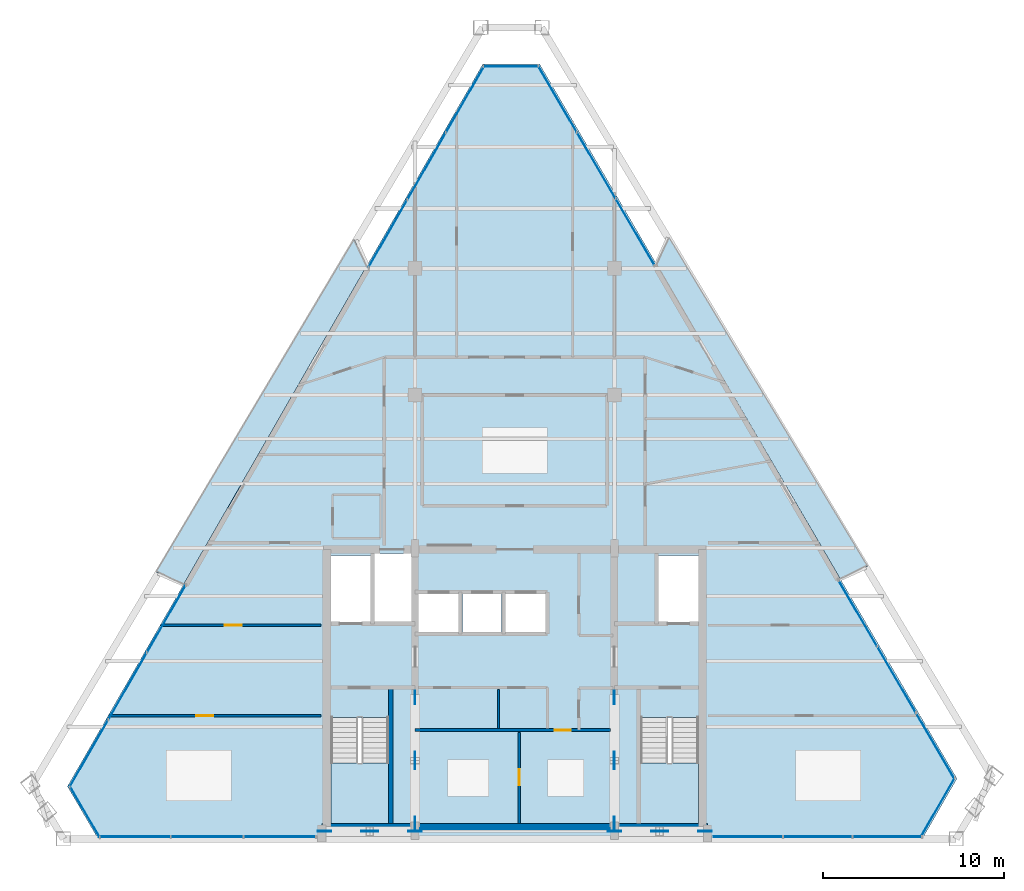
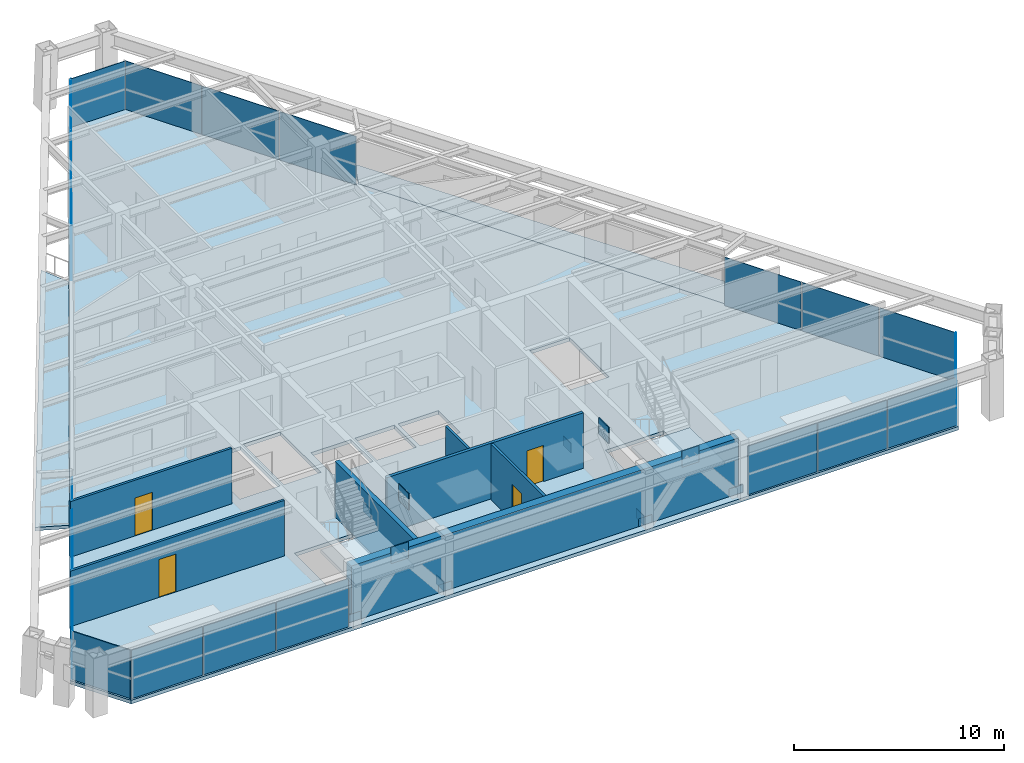
# One storey, part 8 of 13: 33 plates, 7 walls, 5 slabs, 4 doors, 4 openings, 11 elements without a shape of their own.
"""IFC4 building model written with IfcOpenShell, lengths in metres."""

from ifc_helpers import new_model, si_unit, direction, frame, frame_2d, origin, origin_2d, place, context, subcontext, project, spatial, polyline, rectangle, outline, extrude, source, transform, mapped, material, layer, layer_set, type_object, type_shapes, element, fill, aggregate, save


model = new_model("IFC4")

# Units and contexts
model_context = context("Model", 3, precision=1e-05, world=origin(), true_north=direction((0.0, 1.0)))
body_context = subcontext(model_context, "Body", "Model", "MODEL_VIEW")
ifc_project = project(units=[si_unit("LENGTHUNIT", "METRE"), si_unit("AREAUNIT", "SQUARE_METRE"), si_unit("VOLUMEUNIT", "CUBIC_METRE"), si_unit("PLANEANGLEUNIT", "RADIAN"), si_unit("MASSUNIT", "GRAM", prefix="KILO")], contexts=[model_context])

# Site, building, storey
site_placement = place(None, origin())
site = spatial("IfcSite", under=ifc_project, at=site_placement, CompositionType="ELEMENT")
building_placement = place(site_placement, origin())
building = spatial("IfcBuilding", under=site, at=building_placement, Name="Varnakhor Terracotta Tower", CompositionType="ELEMENT")
storey_placement = place(building_placement, frame((0.0, 0.0, 286.800048828125)))
storey = spatial("IfcBuildingStorey", under=building, at=storey_placement, Name="L75", CompositionType="ELEMENT", Elevation=286.800048828125)

# Slab
ifc_material_1 = material(Name="Concrete C40/50", Category="concrete")
ifc_layer_1 = layer(ifc_material_1, 0.2099609375, Name="Concrete C40/50")
ifc_layer_set_1 = layer_set([ifc_layer_1], Name="Concrete C40/50")
slab_type_1 = type_object("IfcSlabType", Name="SLB-HTL-210", PredefinedType="FLOOR", material=ifc_layer_set_1)
slab_1_placement = place(storey_placement, frame((0.0, 0.0, -0.2099609375)))
element("IfcSlab", 1, at=slab_1_placement, inside=storey, type_object=slab_type_1, Name="L75 Structural Floor Slab", PredefinedType="FLOOR", context=body_context, shape_type="SweptSolid", body=[
    extrude(outline(polyline([(-24.689697265625, 2.8994140625), (-1.76171875, 42.769287109375), (1.380126953125, 42.769287109375), (24.4130859375, 3.32861328125), (22.4990234375, 0.0), (-22.996337890625, 0.0), (-24.689697265625, 2.8994140625)]), holes=[polyline([(-6.949951171875, 0.85009765625), (-6.949951171875, 6.695068359375), (-10.14990234375, 6.695068359375), (-10.14990234375, 0.85009765625), (-6.949951171875, 0.85009765625)]), polyline([(10.14990234375, 0.85009765625), (10.14990234375, 6.695068359375), (6.949951171875, 6.695068359375), (6.949951171875, 0.85009765625), (10.14990234375, 0.85009765625)]), polyline([(-3.10009765625, 11.419921875), (-3.10009765625, 13.52001953125), (-5.300048828125, 13.52001953125), (-5.300048828125, 11.419921875), (-3.10009765625, 11.419921875)]), polyline([(-0.719970703125, 11.419921875), (-0.719970703125, 13.52001953125), (-2.8798828125, 13.52001953125), (-2.8798828125, 11.419921875), (-0.719970703125, 11.419921875)]), polyline([(1.699951171875, 11.419921875), (1.699951171875, 13.52001953125), (-0.5, 13.52001953125), (-0.5, 11.419921875), (1.699951171875, 11.419921875)]), polyline([(-7.949951171875, 11.8798828125), (-7.949951171875, 15.64990234375), (-10.14990234375, 15.64990234375), (-10.14990234375, 11.8798828125), (-7.949951171875, 11.8798828125)]), polyline([(10.14990234375, 11.8798828125), (10.14990234375, 15.64990234375), (7.949951171875, 15.64990234375), (7.949951171875, 11.8798828125), (10.14990234375, 11.8798828125)]), polyline([(-5.699951171875, 11.8798828125), (-5.699951171875, 15.75), (-7.72998046875, 15.75), (-7.72998046875, 11.8798828125), (-5.699951171875, 11.8798828125)])]), origin(), (0.0, 0.0, 1.0), 0.2099609375),
])

# Stair, slab
stair_type = type_object("IfcStairType", Name="STR-CORE-HOTEL-1500", PredefinedType="HALF_TURN_STAIR", material=ifc_material_1)
stair_1_placement = place(storey_placement, origin())
stair_1 = element("IfcStair", 2, at=stair_1_placement, inside=storey, type_object=stair_type, Name="L75 Core Exit Stair ST-1", PredefinedType="HALF_TURN_STAIR")
ifc_layer_2 = layer(ifc_material_1, 0.179931640625, Name="Concrete C40/50")
ifc_layer_set_2 = layer_set([ifc_layer_2], Name="Concrete C40/50")
slab_type_2 = type_object("IfcSlabType", Name="SLB-LANDING-180", PredefinedType="LANDING", material=ifc_layer_set_2)
slab_2_placement = place(storey_placement, frame((0.0, 0.0, 1.52490234375)))
slab_2 = element("IfcSlab", 3, at=slab_2_placement, type_object=slab_type_2, Name="ST-1 landing 1", PredefinedType="LANDING", context=body_context, shape_type="SweptSolid", body=[
    extrude(outline(polyline([(-10.14990234375, 4.18994140625), (-10.14990234375, 0.85009765625), (-6.949951171875, 0.85009765625), (-6.949951171875, 4.18994140625), (-10.14990234375, 4.18994140625)])), origin(), (0.0, 0.0, 1.0), 0.199951171875),
])
aggregate(stair_1, [slab_2])

stair_2_placement = place(storey_placement, origin())
stair_2 = element("IfcStair", 4, at=stair_2_placement, inside=storey, type_object=stair_type, Name="L75 Core Exit Stair ST-2", PredefinedType="HALF_TURN_STAIR")
slab_3_placement = place(storey_placement, frame((0.0, 0.0, 1.52490234375)))
slab_3 = element("IfcSlab", 5, at=slab_3_placement, type_object=slab_type_2, Name="ST-2 landing 1", PredefinedType="LANDING", context=body_context, shape_type="SweptSolid", body=[
    extrude(outline(polyline([(6.949951171875, 4.18994140625), (6.949951171875, 0.85009765625), (10.14990234375, 0.85009765625), (10.14990234375, 4.18994140625), (6.949951171875, 4.18994140625)])), origin(), (0.0, 0.0, 1.0), 0.199951171875),
])
aggregate(stair_2, [slab_3])

# Slabs
ifc_layer_3 = layer(ifc_material_1, 0.195068359375, Name="Concrete C40/50")
ifc_layer_set_3 = layer_set([ifc_layer_3], Name="Concrete C40/50")
slab_type_3 = type_object("IfcSlabType", Name="SLB-LOGGIA-EXT-195", PredefinedType="FLOOR", material=ifc_layer_set_3)
slab_4_placement = place(storey_placement, frame((0.0, 0.0, -0.195068359375)))
element("IfcSlab", 6, at=slab_4_placement, inside=storey, type_object=slab_type_3, Name="L75 E Recessed Outdoor Loggia Slab", PredefinedType="FLOOR", context=body_context, shape_type="SweptSolid", body=[
    extrude(outline(polyline([(8.49462890625, 33.225830078125), (19.46875, 15.051513671875), (17.9638671875, 14.3720703125), (15.681396484375, 18.280517578125), (7.829345703125, 31.72607421875), (8.49462890625, 33.225830078125)])), origin(), (0.0, 0.0, 1.0), 0.195068359375),
])
slab_5_placement = place(storey_placement, frame((0.0, 0.0, -0.195068359375)))
element("IfcSlab", 7, at=slab_5_placement, inside=storey, type_object=slab_type_3, Name="L75 W Recessed Outdoor Loggia Slab", PredefinedType="FLOOR", context=body_context, shape_type="SweptSolid", body=[
    extrude(outline(polyline([(-19.78955078125, 14.727783203125), (-8.852783203125, 33.10009765625), (-8.181396484375, 31.605712890625), (-12.607177734375, 23.91015625), (-18.27001953125, 14.06298828125), (-19.78955078125, 14.727783203125)])), origin(), (0.0, 0.0, 1.0), 0.195068359375),
])

# Plates
ifc_material_2 = material(Name="Steel S460", Category="steel")
ifc_layer_4 = layer(ifc_material_2, 0.050048828125, Name="Steel S460")
ifc_layer_set_4 = layer_set([ifc_layer_4], Name="Steel S460")
plate_type_1 = type_object("IfcPlateType", Name="PLT-GUSSET-50", PredefinedType="USERDEFINED", material=ifc_layer_set_4)
shared_shape_1 = source(origin(), body_context, "Body", "SweptSolid", [
    extrude(rectangle(XDim=0.75, YDim=0.0400390625, at=origin_2d()), origin(), (0.0, 0.0, 1.0), 0.550048828125),
])
type_shapes(plate_type_1, [shared_shape_1])
for number, where, z_axis, x_axis, name in (
    (8, (-10.5, 0.419921875, -0.09521484375), (0.0, 0.0, 1.0), (1.0, 0.0, 0.0), "L75 Core Brace Embed Plate CSWA"),
    (9, (-5.5, 0.419921875, -0.09521484375), (0.0, 0.0, 1.0), (1.0, 0.0, 0.0), "L75 Core Brace Embed Plate CSWB"),
    (10, (5.5, 0.419921875, -0.09521484375), (0.0, 0.0, 1.0), (1.0, 0.0, 0.0), "L75 Core Brace Embed Plate CSEA"),
    (11, (10.5, 0.419921875, -0.09521484375), (0.0, 0.0, 1.0), (1.0, 0.0, 0.0), "L75 Core Brace Embed Plate CSEB"),
    (12, (-5.5, 0.85009765625, -0.09521484375), (0.0, 0.0, 1.0), (0.0, 1.0, 0.0), "L75 Core Brace Embed Plate CWWA"),
    (13, (-5.5, 7.800048828125, -0.09521484375), (0.0, 0.0, 1.0), (0.0, 1.0, 0.0), "L75 Core Brace Embed Plate CWWB"),
    (14, (5.5, 0.85009765625, -0.09521484375), (0.0, 0.0, 1.0), (0.0, 1.0, 0.0), "L75 Core Brace Embed Plate CWEA"),
    (15, (5.5, 7.800048828125, -0.09521484375), (0.0, 0.0, 1.0), (0.0, 1.0, 0.0), "L75 Core Brace Embed Plate CWEB"),
):
    element("IfcPlate", number, at=place(storey_placement, frame(where, z_axis=z_axis, x_axis=x_axis)), inside=storey, type_object=plate_type_1, Name=name, ObjectType="GUSSET PLATE", PredefinedType="USERDEFINED", context=body_context, shape_type="MappedRepresentation", body=[
        mapped(shared_shape_1, transform((0.0, 0.0, 0.0), scale=1.0)),
    ])
shared_shape_2 = source(origin(), body_context, "Body", "SweptSolid", [
    extrude(rectangle(XDim=0.949951171875, YDim=0.044921875, at=origin_2d()), origin(), (0.0, 0.0, 1.0), 0.949951171875),
])
for number, where, z_axis, x_axis, name in (
    (16, (-8.0, 0.419921875, 2.61474609375), (0.0, 0.0, 1.0), (1.0, 0.0, 0.0), "L75 Core Brace Apex Gusset CSW"),
    (17, (8.0, 0.419921875, 2.61474609375), (0.0, 0.0, 1.0), (1.0, 0.0, 0.0), "L75 Core Brace Apex Gusset CSE"),
    (18, (-5.5, 4.324951171875, 2.61474609375), (0.0, 0.0, 1.0), (0.0, 1.0, 0.0), "L75 Core Brace Apex Gusset CWW"),
    (19, (5.5, 4.324951171875, 2.61474609375), (0.0, 0.0, 1.0), (0.0, 1.0, 0.0), "L75 Core Brace Apex Gusset CWE"),
):
    element("IfcPlate", number, at=place(storey_placement, frame(where, z_axis=z_axis, x_axis=x_axis)), inside=storey, type_object=plate_type_1, Name=name, ObjectType="GUSSET PLATE", PredefinedType="USERDEFINED", context=body_context, shape_type="MappedRepresentation", body=[
        mapped(shared_shape_2, transform((0.0, 0.0, 0.0), scale=1.0)),
    ])

# Curtain wall, plates
ifc_material_3 = material(Name="Anodised Aluminium Curtain Wall System", Category="aluminium")
curtain_wall_type = type_object("IfcCurtainWallType", Name="CW-SYS-HOTEL-LOGGIA", PredefinedType="NOTDEFINED", material=ifc_material_3)
curtain_wall_1_placement = place(storey_placement, origin())
curtain_wall_1 = element("IfcCurtainWall", 20, at=curtain_wall_1_placement, inside=storey, type_object=curtain_wall_type, Name="L75 E Facet Curtain Wall 1", PredefinedType="NOTDEFINED")
ifc_material_4 = material(Name="Solar-Control Low-E Insulated Glass Panel", Category="glass")
ifc_layer_5 = layer(ifc_material_4, 0.033935546875, Name="Solar-Control Low-E Insulated Glass Panel")
ifc_layer_set_5 = layer_set([ifc_layer_5], Name="Solar-Control Low-E Insulated Glass Panel")
plate_type_2 = type_object("IfcPlateType", Name="CWP-04", PredefinedType="CURTAIN_PANEL", material=ifc_layer_set_5)
shared_shape_3 = source(origin(), body_context, "Body", "SweptSolid", [
    extrude(rectangle(XDim=4.202880859375, YDim=0.035888671875, at=origin_2d()), origin(), (0.0, 0.0, 1.0), 2.820068359375),
])
plate_1_placement = place(storey_placement, frame((2.361572265625, 40.85107421875, 0.0), z_axis=(0.0, 0.0, 1.0), x_axis=(0.504301570101, -0.86352760604, 0.0)))
plate_1 = element("IfcPlate", 21, at=plate_1_placement, type_object=plate_type_2, Name="L75 E Facet Curtain Wall 1 Glazed Panel 1", PredefinedType="CURTAIN_PANEL", context=body_context, shape_type="MappedRepresentation", body=[
    mapped(shared_shape_3, transform((0.0, 0.0, 0.0), scale=1.0)),
])
plate_2_placement = place(storey_placement, frame((4.501220703125, 37.187255859375, 0.0), z_axis=(0.0, 0.0, 1.0), x_axis=(0.504301570101, -0.86352760604, 0.0)))
plate_2 = element("IfcPlate", 22, at=plate_2_placement, type_object=plate_type_2, Name="L75 E Facet Curtain Wall 1 Glazed Panel 2", PredefinedType="CURTAIN_PANEL", context=body_context, shape_type="MappedRepresentation", body=[
    mapped(shared_shape_3, transform((0.0, 0.0, 0.0), scale=1.0)),
])
plate_3_placement = place(storey_placement, frame((6.640869140625, 33.523193359375, 0.0), z_axis=(0.0, 0.0, 1.0), x_axis=(0.504301570101, -0.86352760604, 0.0)))
plate_3 = element("IfcPlate", 23, at=plate_3_placement, type_object=plate_type_2, Name="L75 E Facet Curtain Wall 1 Glazed Panel 3", PredefinedType="CURTAIN_PANEL", context=body_context, shape_type="MappedRepresentation", body=[
    mapped(shared_shape_3, transform((0.0, 0.0, 0.0), scale=1.0)),
])
aggregate(curtain_wall_1, [plate_1, plate_2, plate_3])

curtain_wall_2_placement = place(storey_placement, origin())
curtain_wall_2 = element("IfcCurtainWall", 24, at=curtain_wall_2_placement, inside=storey, type_object=curtain_wall_type, Name="L75 E Facet Curtain Wall 2", PredefinedType="NOTDEFINED")
plate_4_placement = place(storey_placement, frame((18.9453125, 12.45361328125, 0.0), z_axis=(0.0, 0.0, 1.0), x_axis=(0.504301570101, -0.86352760604, 0.0)))
plate_4 = element("IfcPlate", 25, at=plate_4_placement, type_object=plate_type_2, Name="L75 E Facet Curtain Wall 2 Glazed Panel 1", PredefinedType="CURTAIN_PANEL", context=body_context, shape_type="MappedRepresentation", body=[
    mapped(shared_shape_3, transform((0.0, 0.0, 0.0), scale=1.0)),
])
plate_5_placement = place(storey_placement, frame((21.0849609375, 8.789794921875, 0.0), z_axis=(0.0, 0.0, 1.0), x_axis=(0.504301570101, -0.86352760604, 0.0)))
plate_5 = element("IfcPlate", 26, at=plate_5_placement, type_object=plate_type_2, Name="L75 E Facet Curtain Wall 2 Glazed Panel 2", PredefinedType="CURTAIN_PANEL", context=body_context, shape_type="MappedRepresentation", body=[
    mapped(shared_shape_3, transform((0.0, 0.0, 0.0), scale=1.0)),
])
plate_6_placement = place(storey_placement, frame((23.224609375, 5.1259765625, 0.0), z_axis=(0.0, 0.0, 1.0), x_axis=(0.504301570101, -0.86352760604, 0.0)))
plate_6 = element("IfcPlate", 27, at=plate_6_placement, type_object=plate_type_2, Name="L75 E Facet Curtain Wall 2 Glazed Panel 3", PredefinedType="CURTAIN_PANEL", context=body_context, shape_type="MappedRepresentation", body=[
    mapped(shared_shape_3, transform((0.0, 0.0, 0.0), scale=1.0)),
])
aggregate(curtain_wall_2, [plate_4, plate_5, plate_6])

curtain_wall_3_placement = place(storey_placement, origin())
curtain_wall_3 = element("IfcCurtainWall", 28, at=curtain_wall_3_placement, inside=storey, type_object=curtain_wall_type, Name="L75 W Facet Curtain Wall 1", PredefinedType="NOTDEFINED")
shared_shape_4 = source(origin(), body_context, "Body", "SweptSolid", [
    extrude(rectangle(XDim=4.232666015625, YDim=0.035888671875, at=origin_2d()), origin(), (0.0, 0.0, 1.0), 2.820068359375),
])
plate_7_placement = place(storey_placement, frame((-23.505615234375, 4.717529296875, 0.0), z_axis=(0.0, 0.0, 1.0), x_axis=(0.498517999855, 0.866879347903, 0.0)))
plate_7 = element("IfcPlate", 29, at=plate_7_placement, type_object=plate_type_2, Name="L75 W Facet Curtain Wall 1 Glazed Panel 1", PredefinedType="CURTAIN_PANEL", context=body_context, shape_type="MappedRepresentation", body=[
    mapped(shared_shape_4, transform((0.0, 0.0, 0.0), scale=1.0)),
])
plate_8_placement = place(storey_placement, frame((-21.375732421875, 8.42138671875, 0.0), z_axis=(0.0, 0.0, 1.0), x_axis=(0.498517999855, 0.866879347903, 0.0)))
plate_8 = element("IfcPlate", 30, at=plate_8_placement, type_object=plate_type_2, Name="L75 W Facet Curtain Wall 1 Glazed Panel 2", PredefinedType="CURTAIN_PANEL", context=body_context, shape_type="MappedRepresentation", body=[
    mapped(shared_shape_4, transform((0.0, 0.0, 0.0), scale=1.0)),
])
plate_9_placement = place(storey_placement, frame((-19.245849609375, 12.125244140625, 0.0), z_axis=(0.0, 0.0, 1.0), x_axis=(0.498517999855, 0.866879347903, 0.0)))
plate_9 = element("IfcPlate", 31, at=plate_9_placement, type_object=plate_type_2, Name="L75 W Facet Curtain Wall 1 Glazed Panel 3", PredefinedType="CURTAIN_PANEL", context=body_context, shape_type="MappedRepresentation", body=[
    mapped(shared_shape_4, transform((0.0, 0.0, 0.0), scale=1.0)),
])
aggregate(curtain_wall_3, [plate_7, plate_8, plate_9])

curtain_wall_4_placement = place(storey_placement, origin())
curtain_wall_4 = element("IfcCurtainWall", 32, at=curtain_wall_4_placement, inside=storey, type_object=curtain_wall_type, Name="L75 W Facet Curtain Wall 2", PredefinedType="NOTDEFINED")
plate_10_placement = place(storey_placement, frame((-6.99755859375, 33.423828125, 0.0), z_axis=(0.0, 0.0, 1.0), x_axis=(0.498517999855, 0.866879347903, 0.0)))
plate_10 = element("IfcPlate", 33, at=plate_10_placement, type_object=plate_type_2, Name="L75 W Facet Curtain Wall 2 Glazed Panel 1", PredefinedType="CURTAIN_PANEL", context=body_context, shape_type="MappedRepresentation", body=[
    mapped(shared_shape_4, transform((0.0, 0.0, 0.0), scale=1.0)),
])
plate_11_placement = place(storey_placement, frame((-4.86767578125, 37.127685546875, 0.0), z_axis=(0.0, 0.0, 1.0), x_axis=(0.498517999855, 0.866879347903, 0.0)))
plate_11 = element("IfcPlate", 34, at=plate_11_placement, type_object=plate_type_2, Name="L75 W Facet Curtain Wall 2 Glazed Panel 2", PredefinedType="CURTAIN_PANEL", context=body_context, shape_type="MappedRepresentation", body=[
    mapped(shared_shape_4, transform((0.0, 0.0, 0.0), scale=1.0)),
])
plate_12_placement = place(storey_placement, frame((-2.737548828125, 40.83154296875, 0.0), z_axis=(0.0, 0.0, 1.0), x_axis=(0.498517999855, 0.866879347903, 0.0)))
plate_12 = element("IfcPlate", 35, at=plate_12_placement, type_object=plate_type_2, Name="L75 W Facet Curtain Wall 2 Glazed Panel 3", PredefinedType="CURTAIN_PANEL", context=body_context, shape_type="MappedRepresentation", body=[
    mapped(shared_shape_4, transform((0.0, 0.0, 0.0), scale=1.0)),
])
aggregate(curtain_wall_4, [plate_10, plate_11, plate_12])

# Curtain wall, plate
curtain_wall_5_placement = place(storey_placement, origin())
curtain_wall_5 = element("IfcCurtainWall", 36, at=curtain_wall_5_placement, inside=storey, type_object=curtain_wall_type, Name="L75 Facet Curtain Wall 2", PredefinedType="NOTDEFINED")
shared_shape_5 = source(origin(), body_context, "Body", "SweptSolid", [
    extrude(rectangle(XDim=3.041748046875, YDim=0.035888671875, at=origin_2d()), origin(), (0.0, 0.0, 1.0), 2.820068359375),
])
plate_13_placement = place(storey_placement, frame((-0.19091796875, 42.6494140625, 0.0), z_axis=(0.0, 0.0, 1.0), x_axis=(1.0, 0.0, 0.0)))
plate_13 = element("IfcPlate", 37, at=plate_13_placement, type_object=plate_type_2, Name="L75 Facet Curtain Wall 2 Glazed Panel 1", PredefinedType="CURTAIN_PANEL", context=body_context, shape_type="MappedRepresentation", body=[
    mapped(shared_shape_5, transform((0.0, 0.0, 0.0), scale=1.0)),
])
aggregate(curtain_wall_5, [plate_13])

curtain_wall_6_placement = place(storey_placement, origin())
curtain_wall_6 = element("IfcCurtainWall", 38, at=curtain_wall_6_placement, inside=storey, type_object=curtain_wall_type, Name="L75 Facet Curtain Wall 4", PredefinedType="NOTDEFINED")
shared_shape_6 = source(origin(), body_context, "Body", "SweptSolid", [
    extrude(rectangle(XDim=3.73974609375, YDim=0.035888671875, at=origin_2d()), origin(), (0.0, 0.0, 1.0), 2.820068359375),
])
plate_14_placement = place(storey_placement, frame((23.35205078125, 1.72412109375, 0.0), z_axis=(0.0, 0.0, 1.0), x_axis=(-0.498517999855, -0.866879347903, 0.0)))
plate_14 = element("IfcPlate", 39, at=plate_14_placement, type_object=plate_type_2, Name="L75 Facet Curtain Wall 4 Glazed Panel 1", PredefinedType="CURTAIN_PANEL", context=body_context, shape_type="MappedRepresentation", body=[
    mapped(shared_shape_6, transform((0.0, 0.0, 0.0), scale=1.0)),
])
aggregate(curtain_wall_6, [plate_14])

# Curtain wall, plates
curtain_wall_7_placement = place(storey_placement, origin())
curtain_wall_7 = element("IfcCurtainWall", 40, at=curtain_wall_7_placement, inside=storey, type_object=curtain_wall_type, Name="L75 South Wing Curtain Wall SSE", PredefinedType="NOTDEFINED")
shared_shape_7 = source(origin(), body_context, "Body", "SweptSolid", [
    extrude(rectangle(XDim=3.7998046875, YDim=0.035888671875, at=origin_2d()), origin(), (0.0, 0.0, 1.0), 2.820068359375),
])
plate_15_placement = place(storey_placement, frame((20.569091796875, 0.1201171875, 0.0), z_axis=(0.0, 0.0, 1.0), x_axis=(-1.0, 0.0, 0.0)))
plate_15 = element("IfcPlate", 41, at=plate_15_placement, type_object=plate_type_2, Name="L75 South Wing Curtain Wall SSE Glazed Panel 1", PredefinedType="CURTAIN_PANEL", context=body_context, shape_type="MappedRepresentation", body=[
    mapped(shared_shape_7, transform((0.0, 0.0, 0.0), scale=1.0)),
])
plate_16_placement = place(storey_placement, frame((12.889892578125, 0.1201171875, 0.0), z_axis=(0.0, 0.0, 1.0), x_axis=(-1.0, 0.0, 0.0)))
plate_16 = element("IfcPlate", 42, at=plate_16_placement, type_object=plate_type_2, Name="L75 South Wing Curtain Wall SSE Glazed Panel 3", PredefinedType="CURTAIN_PANEL", context=body_context, shape_type="MappedRepresentation", body=[
    mapped(shared_shape_7, transform((0.0, 0.0, 0.0), scale=1.0)),
])
shared_shape_8 = source(origin(), body_context, "Body", "SweptSolid", [
    extrude(rectangle(XDim=3.799560546875, YDim=0.035888671875, at=origin_2d()), origin(), (0.0, 0.0, 1.0), 2.820068359375),
])
plate_17_placement = place(storey_placement, frame((16.7294921875, 0.1201171875, 0.0), z_axis=(0.0, 0.0, 1.0), x_axis=(-1.0, 0.0, 0.0)))
plate_17 = element("IfcPlate", 43, at=plate_17_placement, type_object=plate_type_2, Name="L75 South Wing Curtain Wall SSE Glazed Panel 2", PredefinedType="CURTAIN_PANEL", context=body_context, shape_type="MappedRepresentation", body=[
    mapped(shared_shape_8, transform((0.0, 0.0, 0.0), scale=1.0)),
])
aggregate(curtain_wall_7, [plate_15, plate_17, plate_16])

curtain_wall_8_placement = place(storey_placement, origin())
curtain_wall_8 = element("IfcCurtainWall", 44, at=curtain_wall_8_placement, inside=storey, type_object=curtain_wall_type, Name="L75 South Wing Curtain Wall SSW", PredefinedType="NOTDEFINED")
shared_shape_9 = source(origin(), body_context, "Body", "SweptSolid", [
    extrude(rectangle(XDim=3.965576171875, YDim=0.035888671875, at=origin_2d()), origin(), (0.0, 0.0, 1.0), 2.820068359375),
])
plate_18_placement = place(storey_placement, frame((-12.972900390625, 0.1201171875, 0.0), z_axis=(0.0, 0.0, 1.0), x_axis=(-1.0, 0.0, 0.0)))
plate_18 = element("IfcPlate", 45, at=plate_18_placement, type_object=plate_type_2, Name="L75 South Wing Curtain Wall SSW Glazed Panel 1", PredefinedType="CURTAIN_PANEL", context=body_context, shape_type="MappedRepresentation", body=[
    mapped(shared_shape_9, transform((0.0, 0.0, 0.0), scale=1.0)),
])
plate_19_placement = place(storey_placement, frame((-20.983642578125, 0.1201171875, 0.0), z_axis=(0.0, 0.0, 1.0), x_axis=(-1.0, 0.0, 0.0)))
plate_19 = element("IfcPlate", 46, at=plate_19_placement, type_object=plate_type_2, Name="L75 South Wing Curtain Wall SSW Glazed Panel 3", PredefinedType="CURTAIN_PANEL", context=body_context, shape_type="MappedRepresentation", body=[
    mapped(shared_shape_9, transform((0.0, 0.0, 0.0), scale=1.0)),
])
shared_shape_10 = source(origin(), body_context, "Body", "SweptSolid", [
    extrude(rectangle(XDim=3.96533203125, YDim=0.035888671875, at=origin_2d()), origin(), (0.0, 0.0, 1.0), 2.820068359375),
])
plate_20_placement = place(storey_placement, frame((-16.978271484375, 0.1201171875, 0.0), z_axis=(0.0, 0.0, 1.0), x_axis=(-1.0, 0.0, 0.0)))
plate_20 = element("IfcPlate", 47, at=plate_20_placement, type_object=plate_type_2, Name="L75 South Wing Curtain Wall SSW Glazed Panel 2", PredefinedType="CURTAIN_PANEL", context=body_context, shape_type="MappedRepresentation", body=[
    mapped(shared_shape_10, transform((0.0, 0.0, 0.0), scale=1.0)),
])
aggregate(curtain_wall_8, [plate_18, plate_20, plate_19])

# Curtain wall, plate
curtain_wall_9_placement = place(storey_placement, origin())
curtain_wall_9 = element("IfcCurtainWall", 48, at=curtain_wall_9_placement, inside=storey, type_object=curtain_wall_type, Name="L75 Facet Curtain Wall 6", PredefinedType="NOTDEFINED")
shared_shape_11 = source(origin(), body_context, "Body", "SweptSolid", [
    extrude(rectangle(XDim=3.2578125, YDim=0.035888671875, at=origin_2d()), origin(), (0.0, 0.0, 1.0), 2.820068359375),
])
plate_21_placement = place(storey_placement, frame((-23.739501953125, 1.51025390625, 0.0), z_axis=(0.0, 0.0, 1.0), x_axis=(-0.504301570101, 0.86352760604, 0.0)))
plate_21 = element("IfcPlate", 49, at=plate_21_placement, type_object=plate_type_2, Name="L75 Facet Curtain Wall 6 Glazed Panel 1", PredefinedType="CURTAIN_PANEL", context=body_context, shape_type="MappedRepresentation", body=[
    mapped(shared_shape_11, transform((0.0, 0.0, 0.0), scale=1.0)),
])
aggregate(curtain_wall_9, [plate_21])

# Wall
ifc_material_5 = material(Name="Concrete C50/60", Category="concrete")
ifc_layer_6 = layer(ifc_material_5, 0.449951171875, Name="Concrete C50/60")
ifc_layer_set_6 = layer_set([ifc_layer_6], Name="Concrete C50/60")
wall_type_1 = type_object("IfcWallType", Name="WAL-CORE-450", PredefinedType="SHEAR", material=ifc_layer_set_6)
wall_1_placement = place(storey_placement, frame((-10.64990234375, 0.625, 0.0), z_axis=(0.0, 0.0, 1.0), x_axis=(1.0, 0.0, 0.0)))
element("IfcWall", 50, at=wall_1_placement, inside=storey, type_object=wall_type_1, Name="L75 South Core Shear Wall", PredefinedType="SHEAR", context=body_context, shape_type="SweptSolid", body=[
    extrude(rectangle(XDim=21.2998046875, YDim=0.449951171875, at=frame_2d((10.64990234375, 0.0))), origin(), (0.0, 0.0, 1.0), 3.239990234375),
])

# Wall, opening, door
ifc_material_6 = material(Name="Acoustic Hotel Room Partition", Category="gypsum")
ifc_layer_7 = layer(ifc_material_6, 0.1298828125, Name="Acoustic Hotel Room Partition")
ifc_layer_set_7 = layer_set([ifc_layer_7], Name="Acoustic Hotel Room Partition")
wall_type_2 = type_object("IfcWallType", Name="WAL-PART-130", PredefinedType="PARTITIONING", material=ifc_layer_set_7)
wall_2_placement = place(storey_placement, frame((-22.43505859375, 6.800048828125, 0.0), z_axis=(0.0, 0.0, 1.0), x_axis=(1.0, 0.0, 0.0)))
wall_2 = element("IfcWall", 51, at=wall_2_placement, inside=storey, type_object=wall_type_2, Name="L75 SW Key Split 1", PredefinedType="PARTITIONING", context=body_context, shape_type="SweptSolid", body=[
    extrude(rectangle(XDim=11.755126953125, YDim=0.1298828125, at=frame_2d((5.87744140625, 0.0))), origin(), (0.0, 0.0, 1.0), 3.23193359375),
])
opening_1_placement = place(wall_2_placement, frame((4.848876953125, 0.0, 0.0)))
opening_1 = element("IfcOpeningElement", 52, at=opening_1_placement, cuts=wall_2, Name="Opening DR-94", PredefinedType="OPENING", context=body_context, shape_type="SweptSolid", body=[
    extrude(rectangle(XDim=0.949951171875, YDim=2.199951171875, at=frame_2d((0.47509765625, 1.10009765625))), frame((0.0, 0.074951171875, 0.0), z_axis=(0.0, -1.0, 0.0), x_axis=(1.0, 0.0, 0.0)), (0.0, 0.0, 1.0), 0.14990234375),
])
ifc_material_7 = material(Name="Acoustic Glazed-Vision Timber Office Door", Category="wood")
door_type_1 = type_object("IfcDoorType", Name="DR-OFF-950X2200", OperationType="NOTDEFINED", PredefinedType="DOOR", material=ifc_material_7)
shared_shape_12 = source(origin(), body_context, "Body", "SweptSolid", [
    extrude(rectangle(XDim=0.949951171875, YDim=2.199951171875, at=frame_2d((0.47509765625, 1.10009765625))), frame((0.0, 0.02490234375, 0.0), z_axis=(0.0, -1.0, 0.0), x_axis=(1.0, 0.0, 0.0)), (0.0, 0.0, 1.0), 0.050048828125),
])
type_shapes(door_type_1, [shared_shape_12])
door_1_placement = place(opening_1_placement, origin())
door_1 = element("IfcDoor", 53, at=door_1_placement, inside=storey, type_object=door_type_1, Name="L75 SW Suite Connect Door 1", OperationType="SINGLE_SWING_RIGHT", OverallHeight=2.199951171875, OverallWidth=0.949951171875, PredefinedType="DOOR", context=body_context, shape_type="MappedRepresentation", body=[
    mapped(shared_shape_12, transform((0.0, 0.0, 0.0), scale=1.0)),
])
fill(opening_1, door_1)

wall_3_placement = place(storey_placement, frame((-19.559814453125, 11.800048828125, 0.0), z_axis=(0.0, 0.0, 1.0), x_axis=(1.0, 0.0, 0.0)))
wall_3 = element("IfcWall", 54, at=wall_3_placement, inside=storey, type_object=wall_type_2, Name="L75 SW Key Split 2", PredefinedType="PARTITIONING", context=body_context, shape_type="SweptSolid", body=[
    extrude(rectangle(XDim=8.8798828125, YDim=0.1298828125, at=frame_2d((4.43994140625, 0.0))), origin(), (0.0, 0.0, 1.0), 3.23193359375),
])
opening_2_placement = place(wall_3_placement, frame((3.554931640625, 0.0, 0.0)))
opening_2 = element("IfcOpeningElement", 55, at=opening_2_placement, cuts=wall_3, Name="Opening DR-94", PredefinedType="OPENING", context=body_context, shape_type="SweptSolid", body=[
    extrude(rectangle(XDim=0.949951171875, YDim=2.199951171875, at=frame_2d((0.47509765625, 1.10009765625))), frame((0.0, 0.074951171875, 0.0), z_axis=(0.0, -1.0, 0.0), x_axis=(1.0, 0.0, 0.0)), (0.0, 0.0, 1.0), 0.14990234375),
])
door_2_placement = place(opening_2_placement, origin())
door_2 = element("IfcDoor", 56, at=door_2_placement, inside=storey, type_object=door_type_1, Name="L75 SW Suite Connect Door 2", OperationType="SINGLE_SWING_LEFT", OverallHeight=2.199951171875, OverallWidth=0.949951171875, PredefinedType="DOOR", context=body_context, shape_type="MappedRepresentation", body=[
    mapped(shared_shape_12, transform((0.0, 0.0, 0.0), scale=1.0)),
])
fill(opening_2, door_2)

# Walls
ifc_layer_8 = layer(ifc_material_1, 0.25, Name="Concrete C40/50")
ifc_layer_set_8 = layer_set([ifc_layer_8], Name="Concrete C40/50")
wall_type_3 = type_object("IfcWallType", Name="WAL-SHAFT-250", PredefinedType="SOLIDWALL", material=ifc_layer_set_8)
wall_4_placement = place(storey_placement, frame((-6.85009765625, 0.85009765625, 0.0), z_axis=(0.0, 0.0, 1.0), x_axis=(0.0, 1.0, 0.0)))
element("IfcWall", 57, at=wall_4_placement, inside=storey, type_object=wall_type_3, Name="L75 Stair ST-1 Bearing Shaft Wall", PredefinedType="SOLIDWALL", context=body_context, shape_type="SweptSolid", body=[
    extrude(rectangle(XDim=7.5, YDim=0.25, at=frame_2d((3.75, 0.0))), origin(), (0.0, 0.0, 1.0), 3.239990234375),
])
ifc_material_8 = material(Name="Acoustic Fire-Rated Partition", Category="gypsum")
ifc_layer_9 = layer(ifc_material_8, 0.114990234375, Name="Acoustic Fire-Rated Partition")
ifc_layer_set_9 = layer_set([ifc_layer_9], Name="Acoustic Fire-Rated Partition")
wall_type_4 = type_object("IfcWallType", Name="WAL-TENANCY-115", PredefinedType="PARTITIONING", material=ifc_layer_set_9)
wall_5_placement = place(storey_placement, frame((-0.89990234375, 6.10009765625, 0.0), z_axis=(0.0, 0.0, 1.0), x_axis=(0.0, 1.0, 0.0)))
element("IfcWall", 58, at=wall_5_placement, inside=storey, type_object=wall_type_4, Name="L75 Reclaimed Mid-Core Split Wall", PredefinedType="PARTITIONING", context=body_context, shape_type="SweptSolid", body=[
    extrude(rectangle(XDim=2.14990234375, YDim=0.114990234375, at=frame_2d((1.074951171875, 0.0))), origin(), (0.0, 0.0, 1.0), 3.23193359375),
])

# Wall, opening, door
ifc_layer_10 = layer(ifc_material_8, 0.139892578125, Name="Acoustic Fire-Rated Partition")
ifc_layer_set_10 = layer_set([ifc_layer_10], Name="Acoustic Fire-Rated Partition")
wall_type_5 = type_object("IfcWallType", Name="WAL-TENANCY-140", PredefinedType="PARTITIONING", material=ifc_layer_set_10)
wall_6_placement = place(storey_placement, frame((0.25, 0.85009765625, 0.0), z_axis=(0.0, 0.0, 1.0), x_axis=(0.0, 1.0, 0.0)))
wall_6 = element("IfcWall", 59, at=wall_6_placement, inside=storey, type_object=wall_type_5, Name="L75 Reclaimed Core Bay Split Wall", PredefinedType="PARTITIONING", context=body_context, shape_type="SweptSolid", body=[
    extrude(rectangle(XDim=5.02978515625, YDim=0.139892578125, at=frame_2d((2.514892578125, 0.0))), origin(), (0.0, 0.0, 1.0), 3.23193359375),
])
opening_3_placement = place(wall_6_placement, frame((2.10009765625, 0.0, 0.0)))
opening_3 = element("IfcOpeningElement", 60, at=opening_3_placement, cuts=wall_6, Name="Opening DR-67", PredefinedType="OPENING", context=body_context, shape_type="SweptSolid", body=[
    extrude(rectangle(XDim=0.89990234375, YDim=2.10009765625, at=frame_2d((0.449951171875, 1.050048828125))), frame((0.0, 0.080078125, 0.0), z_axis=(0.0, -1.0, 0.0), x_axis=(1.0, 0.0, 0.0)), (0.0, 0.0, 1.0), 0.159912109375),
])
ifc_material_9 = material(Name="Steel Service Riser Fire Door", Category="steel")
door_type_2 = type_object("IfcDoorType", Name="DR-RISER-900X2100", OperationType="NOTDEFINED", PredefinedType="DOOR", material=ifc_material_9)
shared_shape_13 = source(origin(), body_context, "Body", "SweptSolid", [
    extrude(rectangle(XDim=0.89990234375, YDim=2.10009765625, at=frame_2d((0.449951171875, 1.050048828125))), frame((0.0, 0.02490234375, 0.0), z_axis=(0.0, -1.0, 0.0), x_axis=(1.0, 0.0, 0.0)), (0.0, 0.0, 1.0), 0.050048828125),
])
type_shapes(door_type_2, [shared_shape_13])
door_3_placement = place(opening_3_placement, origin())
door_3 = element("IfcDoor", 61, at=door_3_placement, inside=storey, type_object=door_type_2, Name="L75 Core Inner Service Door", OperationType="SINGLE_SWING_LEFT", OverallHeight=2.10009765625, OverallWidth=0.89990234375, PredefinedType="DOOR", context=body_context, shape_type="MappedRepresentation", body=[
    mapped(shared_shape_13, transform((0.0, 0.0, 0.0), scale=1.0)),
])
fill(opening_3, door_3)

ifc_layer_11 = layer(ifc_material_8, 0.1650390625, Name="Acoustic Fire-Rated Partition")
ifc_layer_set_11 = layer_set([ifc_layer_11], Name="Acoustic Fire-Rated Partition")
wall_type_6 = type_object("IfcWallType", Name="WAL-TENANCY-165", PredefinedType="PARTITIONING", material=ifc_layer_set_11)
wall_7_placement = place(storey_placement, frame((-5.5, 6.0, 0.0), z_axis=(0.0, 0.0, 1.0), x_axis=(1.0, 0.0, 0.0)))
wall_7 = element("IfcWall", 62, at=wall_7_placement, inside=storey, type_object=wall_type_6, Name="L75 Reclaimed Core Bay North Rated Wall", PredefinedType="PARTITIONING", context=body_context, shape_type="SweptSolid", body=[
    extrude(rectangle(XDim=10.800048828125, YDim=0.1650390625, at=frame_2d((5.39990234375, 0.0))), origin(), (0.0, 0.0, 1.0), 3.23193359375),
])
opening_4_placement = place(wall_7_placement, frame((7.699951171875, 0.0, 0.0)))
opening_4 = element("IfcOpeningElement", 63, at=opening_4_placement, cuts=wall_7, Name="Opening DR-67", PredefinedType="OPENING", context=body_context, shape_type="SweptSolid", body=[
    extrude(rectangle(XDim=0.89990234375, YDim=2.10009765625, at=frame_2d((0.449951171875, 1.050048828125))), frame((0.0, 0.092529296875, 0.0), z_axis=(0.0, -1.0, 0.0), x_axis=(1.0, 0.0, 0.0)), (0.0, 0.0, 1.0), 0.18505859375),
])
door_4_placement = place(opening_4_placement, origin())
door_4 = element("IfcDoor", 64, at=door_4_placement, inside=storey, type_object=door_type_2, Name="L75 Core Reclaimed Suite Door", OperationType="SINGLE_SWING_RIGHT", OverallHeight=2.10009765625, OverallWidth=0.89990234375, PredefinedType="DOOR", context=body_context, shape_type="MappedRepresentation", body=[
    mapped(shared_shape_13, transform((0.0, 0.0, 0.0), scale=1.0)),
])
fill(opening_4, door_4)

save(model, "model.ifc")
